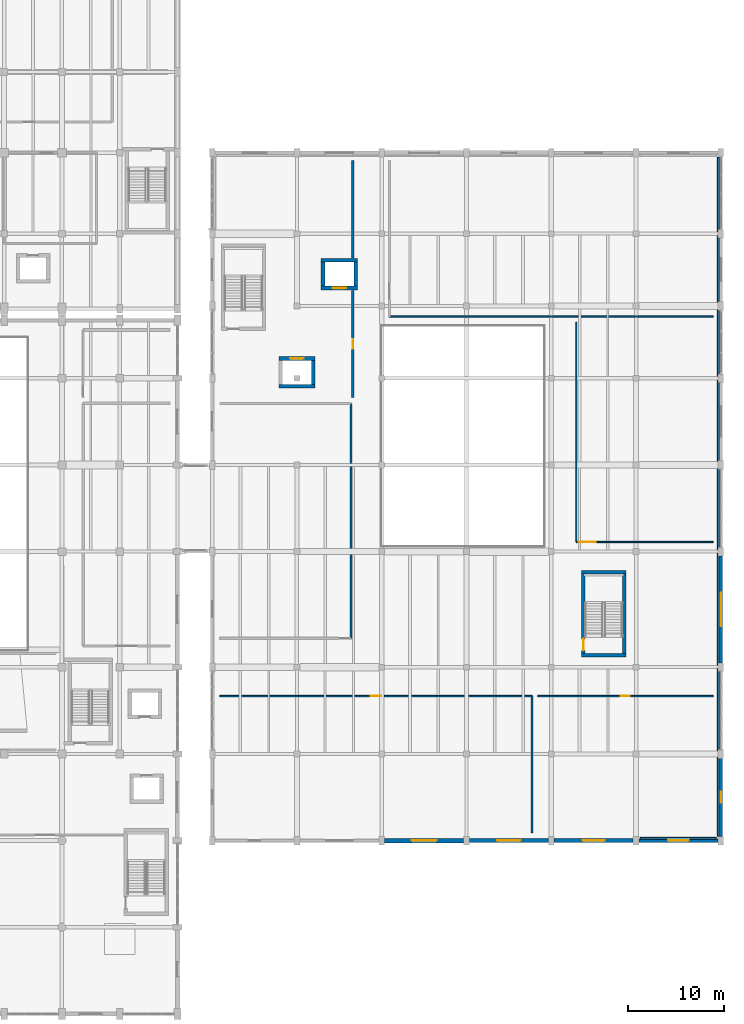
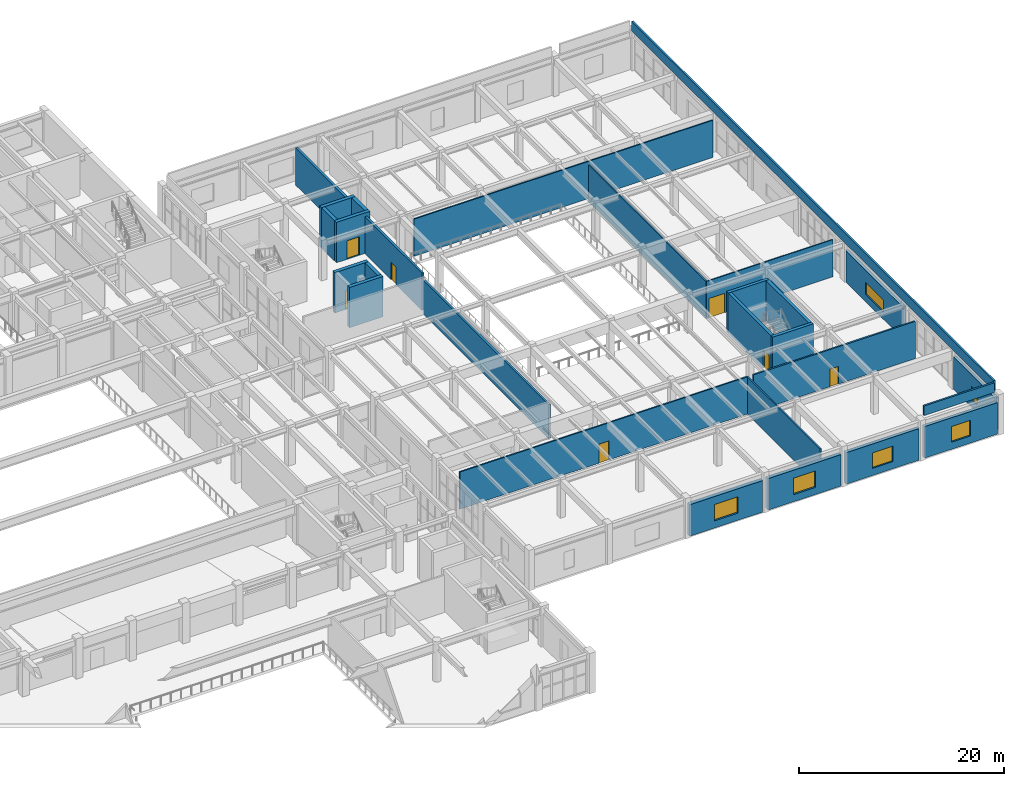
# One storey, part 75 of 96: 28 walls, 7 doors, 6 windows, 13 openings.
"""IFC4 building model written with IfcOpenShell, lengths in metres."""

from ifc_helpers import new_model, si_unit, direction, frame, frame_2d, origin, place, context, subcontext, project, spatial, rectangle, extrude, material, layer, layer_set, type_object, element, fill, save


model = new_model("IFC4")

# Units and contexts
model_context = context("Model", 3, precision=1e-05, world=origin(), true_north=direction((0.0, 1.0)))
body_context = subcontext(model_context, "Body", "Model", "MODEL_VIEW")
ifc_project = project(units=[si_unit("LENGTHUNIT", "METRE"), si_unit("AREAUNIT", "SQUARE_METRE"), si_unit("VOLUMEUNIT", "CUBIC_METRE"), si_unit("PLANEANGLEUNIT", "RADIAN"), si_unit("MASSUNIT", "GRAM", prefix="KILO")], contexts=[model_context])

# Site, building, storey
site_placement = place(None, origin())
site = spatial("IfcSite", under=ifc_project, at=site_placement, CompositionType="ELEMENT")
building_placement = place(site_placement, origin())
building = spatial("IfcBuilding", under=site, at=building_placement, Name="Vaelkrest Opera House", CompositionType="ELEMENT")
storey_placement = place(building_placement, frame((0.0, 0.0, 5.39990234375)))
storey = spatial("IfcBuildingStorey", under=building, at=storey_placement, Name="L01", CompositionType="ELEMENT", Elevation=5.39990234375)

# Wall, opening, window
ifc_material_1 = material(Name="American black walnut acoustic timber", Category="wood")
ifc_layer_1 = layer(ifc_material_1, 0.3349609375)
ifc_layer_set_1 = layer_set([ifc_layer_1], Name="American black walnut acoustic timber")
wall_type_1 = type_object("IfcWallType", Name="EW05", PredefinedType="STANDARD", material=ifc_layer_set_1)
wall_1_placement = place(storey_placement, frame((86.39990234375, -8.248046875, 0.0), z_axis=(0.0, 0.0, 1.0), x_axis=(0.0, -1.0, 0.0)))
wall_1 = element("IfcWall", 1, at=wall_1_placement, inside=storey, type_object=wall_type_1, Name="Exterior facade wall EW-V4-L01-0245", PredefinedType="STANDARD", context=body_context, shape_type="SweptSolid", body=[
    extrude(rectangle(XDim=11.10400390625, YDim=0.3349609375, at=frame_2d((5.552001953125, 0.0))), origin(), (0.0, 0.0, 1.0), 3.7451171875),
])
opening_1_placement = place(wall_1_placement, frame((3.802001953125, 0.0, 0.85009765625)))
opening_1 = element("IfcOpeningElement", 2, at=opening_1_placement, cuts=wall_1, Name="Opening WN130", PredefinedType="OPENING", context=body_context, shape_type="SweptSolid", body=[
    extrude(rectangle(XDim=3.5, YDim=1.449951171875, at=frame_2d((1.75, 0.72509765625))), frame((0.0, 0.177490234375, 0.0), z_axis=(0.0, -1.0, 0.0), x_axis=(1.0, 0.0, 0.0)), (0.0, 0.0, 1.0), 0.35498046875),
])
ifc_material_2 = material(Name="Double low-E insulated glazing", Category="glass")
window_type_1 = type_object("IfcWindowType", Name="WT26", PartitioningType="SINGLE_PANEL", PredefinedType="WINDOW", material=ifc_material_2)
window_1_placement = place(opening_1_placement, origin())
window_1 = element("IfcWindow", 3, at=window_1_placement, inside=storey, type_object=window_type_1, Name="Facade window WN130", OverallHeight=1.449951171875, OverallWidth=3.5, PartitioningType="SINGLE_PANEL", PredefinedType="WINDOW", context=body_context, shape_type="SweptSolid", body=[
    extrude(rectangle(XDim=3.5, YDim=1.449951171875, at=frame_2d((1.75, 0.72509765625))), frame((0.0, 0.030029296875, 0.0), z_axis=(0.0, -1.0, 0.0), x_axis=(1.0, 0.0, 0.0)), (0.0, 0.0, 1.0), 0.06005859375),
])
fill(opening_1, window_1)

ifc_layer_2 = layer(ifc_material_1, 0.360107421875)
ifc_layer_set_2 = layer_set([ifc_layer_2], Name="American black walnut acoustic timber")
wall_type_2 = type_object("IfcWallType", Name="EW06", PredefinedType="STANDARD", material=ifc_layer_set_2)
wall_2_placement = place(storey_placement, frame((86.39990234375, -29.248046875, 0.0), z_axis=(0.0, 0.0, 1.0), x_axis=(0.0, -1.0, 0.0)))
wall_2 = element("IfcWall", 4, at=wall_2_placement, inside=storey, type_object=wall_type_2, Name="Exterior facade wall EW-V4-L01-0246", PredefinedType="STANDARD", context=body_context, shape_type="SweptSolid", body=[
    extrude(rectangle(XDim=8.10400390625, YDim=0.360107421875, at=frame_2d((4.052001953125, 0.0))), origin(), (0.0, 0.0, 1.0), 3.8291015625),
])
opening_2_placement = place(wall_2_placement, frame((3.501953125, 0.0, 0.85009765625)))
opening_2 = element("IfcOpeningElement", 5, at=opening_2_placement, cuts=wall_2, Name="Opening WN131", PredefinedType="OPENING", context=body_context, shape_type="SweptSolid", body=[
    extrude(rectangle(XDim=1.10009765625, YDim=1.60009765625, at=frame_2d((0.550048828125, 0.800048828125))), frame((0.0, 0.18994140625, 0.0), z_axis=(0.0, -1.0, 0.0), x_axis=(1.0, 0.0, 0.0)), (0.0, 0.0, 1.0), 0.380126953125),
])
window_type_2 = type_object("IfcWindowType", Name="WT01", PartitioningType="SINGLE_PANEL", PredefinedType="WINDOW", material=ifc_material_2)
window_2_placement = place(opening_2_placement, origin())
window_2 = element("IfcWindow", 6, at=window_2_placement, inside=storey, type_object=window_type_2, Name="Facade window WN131", OverallHeight=1.60009765625, OverallWidth=1.10009765625, PartitioningType="SINGLE_PANEL", PredefinedType="WINDOW", context=body_context, shape_type="SweptSolid", body=[
    extrude(rectangle(XDim=1.10009765625, YDim=1.60009765625, at=frame_2d((0.550048828125, 0.800048828125))), frame((0.0, 0.030029296875, 0.0), z_axis=(0.0, -1.0, 0.0), x_axis=(1.0, 0.0, 0.0)), (0.0, 0.0, 1.0), 0.06005859375),
])
fill(opening_2, window_2)

ifc_material_3 = material(Name="Concrete C40/50", Category="concrete")
ifc_layer_3 = layer(ifc_material_3, 0.385009765625)
ifc_layer_set_3 = layer_set([ifc_layer_3], Name="Concrete C40/50")
wall_type_3 = type_object("IfcWallType", Name="EW07", PredefinedType="STANDARD", material=ifc_layer_set_3)
wall_3_placement = place(storey_placement, frame((86.10205078125, -37.800048828125, 0.0), z_axis=(0.0, 0.0, 1.0), x_axis=(-1.0, 0.0, 0.0)))
wall_3 = element("IfcWall", 7, at=wall_3_placement, inside=storey, type_object=wall_type_3, Name="Exterior facade wall EW-V4-L01-0227", PredefinedType="STANDARD", context=body_context, shape_type="SweptSolid", body=[
    extrude(rectangle(XDim=8.2041015625, YDim=0.385009765625, at=frame_2d((4.10205078125, 0.0))), origin(), (0.0, 0.0, 1.0), 3.7451171875),
])
opening_3_placement = place(wall_3_placement, frame((3.027099609375, 0.0, 0.85009765625)))
opening_3 = element("IfcOpeningElement", 8, at=opening_3_placement, cuts=wall_3, Name="Opening WN112", PredefinedType="OPENING", context=body_context, shape_type="SweptSolid", body=[
    extrude(rectangle(XDim=2.14990234375, YDim=1.85009765625, at=frame_2d((1.074951171875, 0.925048828125))), frame((0.0, 0.202392578125, 0.0), z_axis=(0.0, -1.0, 0.0), x_axis=(1.0, 0.0, 0.0)), (0.0, 0.0, 1.0), 0.405029296875),
])
window_type_3 = type_object("IfcWindowType", Name="WT08", PartitioningType="SINGLE_PANEL", PredefinedType="WINDOW", material=ifc_material_2)
window_3_placement = place(opening_3_placement, origin())
window_3 = element("IfcWindow", 9, at=window_3_placement, inside=storey, type_object=window_type_3, Name="Facade window WN112", OverallHeight=1.85009765625, OverallWidth=2.14990234375, PartitioningType="SINGLE_PANEL", PredefinedType="WINDOW", context=body_context, shape_type="SweptSolid", body=[
    extrude(rectangle(XDim=2.14990234375, YDim=1.85009765625, at=frame_2d((1.074951171875, 0.925048828125))), frame((0.0, 0.030029296875, 0.0), z_axis=(0.0, -1.0, 0.0), x_axis=(1.0, 0.0, 0.0)), (0.0, 0.0, 1.0), 0.06005859375),
])
fill(opening_3, window_3)

ifc_layer_4 = layer(ifc_material_3, 0.409912109375)
ifc_layer_set_4 = layer_set([ifc_layer_4], Name="Concrete C40/50")
wall_type_4 = type_object("IfcWallType", Name="EW08", PredefinedType="STANDARD", material=ifc_layer_set_4)
wall_4_placement = place(storey_placement, frame((77.302001953125, -37.800048828125, 0.0), z_axis=(0.0, 0.0, 1.0), x_axis=(-1.0, 0.0, 0.0)))
wall_4 = element("IfcWall", 10, at=wall_4_placement, inside=storey, type_object=wall_type_4, Name="Exterior facade wall EW-V4-L01-0228", PredefinedType="STANDARD", context=body_context, shape_type="SweptSolid", body=[
    extrude(rectangle(XDim=8.2041015625, YDim=0.409912109375, at=frame_2d((4.10205078125, 0.0))), origin(), (0.0, 0.0, 1.0), 3.7451171875),
])
opening_4_placement = place(wall_4_placement, frame((2.951904296875, 0.0, 0.85009765625)))
opening_4 = element("IfcOpeningElement", 11, at=opening_4_placement, cuts=wall_4, Name="Opening WN113", PredefinedType="OPENING", context=body_context, shape_type="SweptSolid", body=[
    extrude(rectangle(XDim=2.300048828125, YDim=1.85009765625, at=frame_2d((1.14990234375, 0.925048828125))), frame((0.0, 0.21484375, 0.0), z_axis=(0.0, -1.0, 0.0), x_axis=(1.0, 0.0, 0.0)), (0.0, 0.0, 1.0), 0.429931640625),
])
window_type_4 = type_object("IfcWindowType", Name="WT09", PartitioningType="SINGLE_PANEL", PredefinedType="WINDOW", material=ifc_material_2)
window_4_placement = place(opening_4_placement, origin())
window_4 = element("IfcWindow", 12, at=window_4_placement, inside=storey, type_object=window_type_4, Name="Facade window WN113", OverallHeight=1.85009765625, OverallWidth=2.300048828125, PartitioningType="SINGLE_PANEL", PredefinedType="WINDOW", context=body_context, shape_type="SweptSolid", body=[
    extrude(rectangle(XDim=2.300048828125, YDim=1.85009765625, at=frame_2d((1.14990234375, 0.925048828125))), frame((0.0, 0.030029296875, 0.0), z_axis=(0.0, -1.0, 0.0), x_axis=(1.0, 0.0, 0.0)), (0.0, 0.0, 1.0), 0.06005859375),
])
fill(opening_4, window_4)

ifc_layer_5 = layer(ifc_material_3, 0.43505859375)
ifc_layer_set_5 = layer_set([ifc_layer_5], Name="Concrete C40/50")
wall_type_5 = type_object("IfcWallType", Name="EW09", PredefinedType="STANDARD", material=ifc_layer_set_5)
wall_5_placement = place(storey_placement, frame((68.501953125, -37.800048828125, 0.0), z_axis=(0.0, 0.0, 1.0), x_axis=(-1.0, 0.0, 0.0)))
wall_5 = element("IfcWall", 13, at=wall_5_placement, inside=storey, type_object=wall_type_5, Name="Exterior facade wall EW-V4-L01-0229", PredefinedType="STANDARD", context=body_context, shape_type="SweptSolid", body=[
    extrude(rectangle(XDim=8.203857421875, YDim=0.43505859375, at=frame_2d((4.10205078125, 0.0))), origin(), (0.0, 0.0, 1.0), 3.7451171875),
])
opening_5_placement = place(wall_5_placement, frame((2.876953125, 0.0, 0.85009765625)))
opening_5 = element("IfcOpeningElement", 14, at=opening_5_placement, cuts=wall_5, Name="Opening WN114", PredefinedType="OPENING", context=body_context, shape_type="SweptSolid", body=[
    extrude(rectangle(XDim=2.449951171875, YDim=1.949951171875, at=frame_2d((1.22509765625, 0.97509765625))), frame((0.0, 0.2275390625, 0.0), z_axis=(0.0, -1.0, 0.0), x_axis=(1.0, 0.0, 0.0)), (0.0, 0.0, 1.0), 0.455078125),
])
window_type_5 = type_object("IfcWindowType", Name="WT10", PartitioningType="SINGLE_PANEL", PredefinedType="WINDOW", material=ifc_material_2)
window_5_placement = place(opening_5_placement, origin())
window_5 = element("IfcWindow", 15, at=window_5_placement, inside=storey, type_object=window_type_5, Name="Facade window WN114", OverallHeight=1.949951171875, OverallWidth=2.449951171875, PartitioningType="SINGLE_PANEL", PredefinedType="WINDOW", context=body_context, shape_type="SweptSolid", body=[
    extrude(rectangle(XDim=2.449951171875, YDim=1.949951171875, at=frame_2d((1.22509765625, 0.97509765625))), frame((0.0, 0.030029296875, 0.0), z_axis=(0.0, -1.0, 0.0), x_axis=(1.0, 0.0, 0.0)), (0.0, 0.0, 1.0), 0.06005859375),
])
fill(opening_5, window_5)

ifc_layer_6 = layer(ifc_material_3, 0.465087890625)
ifc_layer_set_6 = layer_set([ifc_layer_6], Name="Concrete C40/50")
wall_type_6 = type_object("IfcWallType", Name="EW10", PredefinedType="STANDARD", material=ifc_layer_set_6)
wall_6_placement = place(storey_placement, frame((59.701904296875, -37.800048828125, 0.0), z_axis=(0.0, 0.0, 1.0), x_axis=(-1.0, 0.0, 0.0)))
wall_6 = element("IfcWall", 16, at=wall_6_placement, inside=storey, type_object=wall_type_6, Name="Exterior facade wall EW-V4-L01-0230", PredefinedType="STANDARD", context=body_context, shape_type="SweptSolid", body=[
    extrude(rectangle(XDim=8.203857421875, YDim=0.465087890625, at=frame_2d((4.10205078125, 0.0))), origin(), (0.0, 0.0, 1.0), 3.7451171875),
])
opening_6_placement = place(wall_6_placement, frame((2.802001953125, 0.0, 0.85009765625)))
opening_6 = element("IfcOpeningElement", 17, at=opening_6_placement, cuts=wall_6, Name="Opening WN115", PredefinedType="OPENING", context=body_context, shape_type="SweptSolid", body=[
    extrude(rectangle(XDim=2.60009765625, YDim=1.949951171875, at=frame_2d((1.300048828125, 0.97509765625))), frame((0.0, 0.242431640625, 0.0), z_axis=(0.0, -1.0, 0.0), x_axis=(1.0, 0.0, 0.0)), (0.0, 0.0, 1.0), 0.485107421875),
])
window_type_6 = type_object("IfcWindowType", Name="WT11", PartitioningType="SINGLE_PANEL", PredefinedType="WINDOW", material=ifc_material_2)
window_6_placement = place(opening_6_placement, origin())
window_6 = element("IfcWindow", 18, at=window_6_placement, inside=storey, type_object=window_type_6, Name="Facade window WN115", OverallHeight=1.949951171875, OverallWidth=2.60009765625, PartitioningType="SINGLE_PANEL", PredefinedType="WINDOW", context=body_context, shape_type="SweptSolid", body=[
    extrude(rectangle(XDim=2.60009765625, YDim=1.949951171875, at=frame_2d((1.300048828125, 0.97509765625))), frame((0.0, 0.030029296875, 0.0), z_axis=(0.0, -1.0, 0.0), x_axis=(1.0, 0.0, 0.0)), (0.0, 0.0, 1.0), 0.06005859375),
])
fill(opening_6, window_6)

# Walls
ifc_layer_7 = layer(ifc_material_3, 0.205078125)
ifc_layer_set_7 = layer_set([ifc_layer_7], Name="Concrete C40/50")
wall_type_7 = type_object("IfcWallType", Name="PP01", PredefinedType="PARAPET", material=ifc_layer_set_7)
wall_7_placement = place(storey_placement, frame((78.050048828125, -37.550048828125, 4.800048828125), z_axis=(0.0, 0.0, 1.0), x_axis=(1.0, 0.0, 0.0)))
element("IfcWall", 19, at=wall_7_placement, inside=storey, type_object=wall_type_7, Name="Roof parapet 09", PredefinedType="PARAPET", context=body_context, shape_type="SweptSolid", body=[
    extrude(rectangle(XDim=7.89990234375, YDim=0.205078125, at=frame_2d((3.949951171875, 0.0))), origin(), (0.0, 0.0, 1.0), 1.150146484375),
])
wall_8_placement = place(storey_placement, frame((86.14990234375, -37.35009765625, 4.800048828125), z_axis=(0.0, 0.0, 1.0), x_axis=(0.0, 1.0, 0.0)))
element("IfcWall", 20, at=wall_8_placement, inside=storey, type_object=wall_type_7, Name="Roof parapet 10", PredefinedType="PARAPET", context=body_context, shape_type="SweptSolid", body=[
    extrude(rectangle(XDim=70.5, YDim=0.205078125, at=frame_2d((35.25, 0.0))), origin(), (0.0, 0.0, 1.0), 1.150146484375),
])

# Wall, opening, door
ifc_material_4 = material(Name="Gypsum acoustic board", Category="gypsum")
ifc_layer_8 = layer(ifc_material_4, 0.1201171875)
ifc_layer_set_8 = layer_set([ifc_layer_8], Name="Gypsum acoustic board")
wall_type_8 = type_object("IfcWallType", Name="PT01", PredefinedType="PARTITIONING", material=ifc_layer_set_8)
wall_9_placement = place(storey_placement, frame((71.39990234375, -6.800048828125, 0.0), z_axis=(0.0, 0.0, 1.0), x_axis=(1.0, 0.0, 0.0)))
wall_9 = element("IfcWall", 21, at=wall_9_placement, inside=storey, type_object=wall_type_8, Name="Interior partition PT-V4-L01-0365", PredefinedType="PARTITIONING", context=body_context, shape_type="SweptSolid", body=[
    extrude(rectangle(XDim=14.2001953125, YDim=0.1201171875, at=frame_2d((7.10009765625, 0.0))), origin(), (0.0, 0.0, 1.0), 4.420166015625),
])
opening_7_placement = place(wall_9_placement, frame((0.25, 0.0, 0.0)))
opening_7 = element("IfcOpeningElement", 22, at=opening_7_placement, cuts=wall_9, Name="Opening D148", PredefinedType="OPENING", context=body_context, shape_type="SweptSolid", body=[
    extrude(rectangle(XDim=1.780029296875, YDim=2.300048828125, at=frame_2d((0.89013671875, 1.14990234375))), frame((0.0, 0.070068359375, 0.0), z_axis=(0.0, -1.0, 0.0), x_axis=(1.0, 0.0, 0.0)), (0.0, 0.0, 1.0), 0.14013671875),
])
door_type_1 = type_object("IfcDoorType", Name="DT20", OperationType="DOUBLE_DOOR_SINGLE_SWING", PredefinedType="DOOR", material=ifc_material_1)
door_1_placement = place(opening_7_placement, origin())
door_1 = element("IfcDoor", 23, at=door_1_placement, inside=storey, type_object=door_type_1, Name="Interior door D148 (Wig Studio)", OperationType="DOUBLE_DOOR_SINGLE_SWING", OverallHeight=2.300048828125, OverallWidth=1.780029296875, PredefinedType="DOOR", context=body_context, shape_type="SweptSolid", body=[
    extrude(rectangle(XDim=1.780029296875, YDim=2.300048828125, at=frame_2d((0.89013671875, 1.14990234375))), frame((0.0, 0.02490234375, 0.0), z_axis=(0.0, -1.0, 0.0), x_axis=(1.0, 0.0, 0.0)), (0.0, 0.0, 1.0), 0.050048828125),
])
fill(opening_7, door_1)

# Wall
ifc_layer_9 = layer(ifc_material_4, 0.135009765625)
ifc_layer_set_9 = layer_set([ifc_layer_9], Name="Gypsum acoustic board")
wall_type_9 = type_object("IfcWallType", Name="PT02", PredefinedType="PARTITIONING", material=ifc_layer_set_9)
wall_10_placement = place(storey_placement, frame((71.39990234375, -6.800048828125, 0.0), z_axis=(0.0, 0.0, 1.0), x_axis=(0.0, 1.0, 0.0)))
element("IfcWall", 24, at=wall_10_placement, inside=storey, type_object=wall_type_9, Name="Interior partition PT-V4-L01-0366", PredefinedType="PARTITIONING", context=body_context, shape_type="SweptSolid", body=[
    extrude(rectangle(XDim=22.800048828125, YDim=0.135009765625, at=frame_2d((11.39990234375, 0.0))), origin(), (0.0, 0.0, 1.0), 4.420166015625),
])

# Wall, opening, door
ifc_layer_10 = layer(ifc_material_4, 0.14990234375)
ifc_layer_set_10 = layer_set([ifc_layer_10], Name="Gypsum acoustic board")
wall_type_10 = type_object("IfcWallType", Name="PT03", PredefinedType="PARTITIONING", material=ifc_layer_set_10)
wall_11_placement = place(storey_placement, frame((34.39990234375, -22.800048828125, 0.0), z_axis=(0.0, 0.0, 1.0), x_axis=(1.0, 0.0, 0.0)))
wall_11 = element("IfcWall", 25, at=wall_11_placement, inside=storey, type_object=wall_type_10, Name="Interior partition PT-V4-L01-0367", PredefinedType="PARTITIONING", context=body_context, shape_type="SweptSolid", body=[
    extrude(rectangle(XDim=32.400146484375, YDim=0.14990234375, at=frame_2d((16.2001953125, 0.0))), origin(), (0.0, 0.0, 1.0), 4.420166015625),
])
opening_8_placement = place(wall_11_placement, frame((15.639892578125, 0.0, 0.0)))
opening_8 = element("IfcOpeningElement", 26, at=opening_8_placement, cuts=wall_11, Name="Opening D149", PredefinedType="OPENING", context=body_context, shape_type="SweptSolid", body=[
    extrude(rectangle(XDim=1.1201171875, YDim=2.25, at=frame_2d((0.56005859375, 1.125))), frame((0.0, 0.0849609375, 0.0), z_axis=(0.0, -1.0, 0.0), x_axis=(1.0, 0.0, 0.0)), (0.0, 0.0, 1.0), 0.169921875),
])
door_type_2 = type_object("IfcDoorType", Name="DT23", OperationType="NOTDEFINED", PredefinedType="DOOR", material=ifc_material_1)
door_2_placement = place(opening_8_placement, origin())
door_2 = element("IfcDoor", 27, at=door_2_placement, inside=storey, type_object=door_type_2, Name="Interior door D149 (Principal Dressing Room)", OperationType="SINGLE_SWING_LEFT", OverallHeight=2.25, OverallWidth=1.1201171875, PredefinedType="DOOR", context=body_context, shape_type="SweptSolid", body=[
    extrude(rectangle(XDim=1.1201171875, YDim=2.25, at=frame_2d((0.56005859375, 1.125))), frame((0.0, 0.02490234375, 0.0), z_axis=(0.0, -1.0, 0.0), x_axis=(1.0, 0.0, 0.0)), (0.0, 0.0, 1.0), 0.050048828125),
])
fill(opening_8, door_2)

# Wall
ifc_layer_11 = layer(ifc_material_4, 0.1650390625)
ifc_layer_set_11 = layer_set([ifc_layer_11], Name="Gypsum acoustic board")
wall_type_11 = type_object("IfcWallType", Name="PT04", PredefinedType="PARTITIONING", material=ifc_layer_set_11)
wall_12_placement = place(storey_placement, frame((66.800048828125, -37.0, 0.0), z_axis=(0.0, 0.0, 1.0), x_axis=(0.0, 1.0, 0.0)))
element("IfcWall", 28, at=wall_12_placement, inside=storey, type_object=wall_type_11, Name="Interior partition PT-V4-L01-0368", PredefinedType="PARTITIONING", context=body_context, shape_type="SweptSolid", body=[
    extrude(rectangle(XDim=14.199951171875, YDim=0.1650390625, at=frame_2d((7.10009765625, 0.0))), origin(), (0.0, 0.0, 1.0), 4.420166015625),
])

# Wall, opening, door
ifc_layer_12 = layer(ifc_material_4, 0.179931640625)
ifc_layer_set_12 = layer_set([ifc_layer_12], Name="Gypsum acoustic board")
wall_type_12 = type_object("IfcWallType", Name="PT05", PredefinedType="PARTITIONING", material=ifc_layer_set_12)
wall_13_placement = place(storey_placement, frame((67.39990234375, -22.800048828125, 0.0), z_axis=(0.0, 0.0, 1.0), x_axis=(1.0, 0.0, 0.0)))
wall_13 = element("IfcWall", 29, at=wall_13_placement, inside=storey, type_object=wall_type_12, Name="Interior partition PT-V4-L01-0369", PredefinedType="PARTITIONING", context=body_context, shape_type="SweptSolid", body=[
    extrude(rectangle(XDim=18.2001953125, YDim=0.179931640625, at=frame_2d((9.10009765625, 0.0))), origin(), (0.0, 0.0, 1.0), 4.420166015625),
])
opening_9_placement = place(wall_13_placement, frame((8.6298828125, 0.0, 0.0)))
opening_9 = element("IfcOpeningElement", 30, at=opening_9_placement, cuts=wall_13, Name="Opening D150", PredefinedType="OPENING", context=body_context, shape_type="SweptSolid", body=[
    extrude(rectangle(XDim=0.93994140625, YDim=2.10009765625, at=frame_2d((0.469970703125, 1.050048828125))), frame((0.0, 0.099853515625, 0.0), z_axis=(0.0, -1.0, 0.0), x_axis=(1.0, 0.0, 0.0)), (0.0, 0.0, 1.0), 0.199951171875),
])
door_type_3 = type_object("IfcDoorType", Name="DT02", OperationType="NOTDEFINED", PredefinedType="DOOR", material=ifc_material_1)
door_3_placement = place(opening_9_placement, origin())
door_3 = element("IfcDoor", 31, at=door_3_placement, inside=storey, type_object=door_type_3, Name="Interior door D150 (Dressing En-Suite Washroom)", OperationType="SINGLE_SWING_RIGHT", OverallHeight=2.10009765625, OverallWidth=0.93994140625, PredefinedType="DOOR", context=body_context, shape_type="SweptSolid", body=[
    extrude(rectangle(XDim=0.93994140625, YDim=2.10009765625, at=frame_2d((0.469970703125, 1.050048828125))), frame((0.0, 0.02490234375, 0.0), z_axis=(0.0, -1.0, 0.0), x_axis=(1.0, 0.0, 0.0)), (0.0, 0.0, 1.0), 0.050048828125),
])
fill(opening_9, door_3)

# Wall
ifc_layer_13 = layer(ifc_material_1, 0.22509765625)
ifc_layer_set_13 = layer_set([ifc_layer_13], Name="American black walnut acoustic timber")
wall_type_13 = type_object("IfcWallType", Name="PT08", PredefinedType="PARTITIONING", material=ifc_layer_set_13)
wall_14_placement = place(storey_placement, frame((48.0, -16.800048828125, 0.0), z_axis=(0.0, 0.0, 1.0), x_axis=(0.0, 1.0, 0.0)))
element("IfcWall", 32, at=wall_14_placement, inside=storey, type_object=wall_type_13, Name="Interior partition PT-V4-L01-0372", PredefinedType="PARTITIONING", context=body_context, shape_type="SweptSolid", body=[
    extrude(rectangle(XDim=24.400146484375, YDim=0.22509765625, at=frame_2d((12.2001953125, 0.0))), origin(), (0.0, 0.0, 1.0), 4.01806640625),
])

# Wall, opening, door
ifc_layer_14 = layer(ifc_material_3, 0.239990234375)
ifc_layer_set_14 = layer_set([ifc_layer_14], Name="Concrete C40/50")
wall_type_14 = type_object("IfcWallType", Name="PT09", PredefinedType="PARTITIONING", material=ifc_layer_set_14)
wall_15_placement = place(storey_placement, frame((48.199951171875, 8.199951171875, 0.0), z_axis=(0.0, 0.0, 1.0), x_axis=(0.0, 1.0, 0.0)))
wall_15 = element("IfcWall", 33, at=wall_15_placement, inside=storey, type_object=wall_type_14, Name="Interior partition PT-V4-L01-0373", PredefinedType="PARTITIONING", context=body_context, shape_type="SweptSolid", body=[
    extrude(rectangle(XDim=11.10009765625, YDim=0.239990234375, at=frame_2d((5.550048828125, 0.0))), origin(), (0.0, 0.0, 1.0), 4.420166015625),
])
opening_10_placement = place(wall_15_placement, frame((5.080078125, 0.0, 0.0)))
opening_10 = element("IfcOpeningElement", 34, at=opening_10_placement, cuts=wall_15, Name="Opening D152", PredefinedType="OPENING", context=body_context, shape_type="SweptSolid", body=[
    extrude(rectangle(XDim=0.93994140625, YDim=2.10009765625, at=frame_2d((0.469970703125, 1.050048828125))), frame((0.0, 0.1298828125, 0.0), z_axis=(0.0, -1.0, 0.0), x_axis=(1.0, 0.0, 0.0)), (0.0, 0.0, 1.0), 0.260009765625),
])
door_4_placement = place(opening_10_placement, origin())
door_4 = element("IfcDoor", 35, at=door_4_placement, inside=storey, type_object=door_type_3, Name="Interior door D152 (Prop Store)", OperationType="SINGLE_SWING_RIGHT", OverallHeight=2.10009765625, OverallWidth=0.93994140625, PredefinedType="DOOR", context=body_context, shape_type="SweptSolid", body=[
    extrude(rectangle(XDim=0.93994140625, YDim=2.10009765625, at=frame_2d((0.469970703125, 1.050048828125))), frame((0.0, 0.02490234375, 0.0), z_axis=(0.0, -1.0, 0.0), x_axis=(1.0, 0.0, 0.0)), (0.0, 0.0, 1.0), 0.050048828125),
])
fill(opening_10, door_4)

# Walls
ifc_layer_15 = layer(ifc_material_3, 0.260009765625)
ifc_layer_set_15 = layer_set([ifc_layer_15], Name="Concrete C40/50")
wall_type_15 = type_object("IfcWallType", Name="PT10", PredefinedType="PARTITIONING", material=ifc_layer_set_15)
wall_16_placement = place(storey_placement, frame((48.199951171875, 22.699951171875, 0.0), z_axis=(0.0, 0.0, 1.0), x_axis=(0.0, 1.0, 0.0)))
element("IfcWall", 36, at=wall_16_placement, inside=storey, type_object=wall_type_15, Name="Interior partition PT-V4-L01-0374", PredefinedType="PARTITIONING", context=body_context, shape_type="SweptSolid", body=[
    extrude(rectangle(XDim=10.10009765625, YDim=0.260009765625, at=frame_2d((5.050048828125, 0.0))), origin(), (0.0, 0.0, 1.0), 4.420166015625),
])
ifc_layer_16 = layer(ifc_material_4, 0.14501953125)
ifc_layer_set_16 = layer_set([ifc_layer_16], Name="Gypsum acoustic board")
wall_type_16 = type_object("IfcWallType", Name="PT13", PredefinedType="PARTITIONING", material=ifc_layer_set_16)
wall_17_placement = place(storey_placement, frame((52.0, 16.60009765625, 0.0), z_axis=(0.0, 0.0, 1.0), x_axis=(1.0, 0.0, 0.0)))
element("IfcWall", 37, at=wall_17_placement, inside=storey, type_object=wall_type_16, Name="Interior partition PT-V4-L01-0363", PredefinedType="PARTITIONING", context=body_context, shape_type="SweptSolid", body=[
    extrude(rectangle(XDim=33.60009765625, YDim=0.14501953125, at=frame_2d((16.800048828125, 0.0))), origin(), (0.0, 0.0, 1.0), 4.420166015625),
])
ifc_material_5 = material(Name="Concrete C50/60", Category="concrete")
ifc_layer_17 = layer(ifc_material_5, 0.35009765625)
ifc_layer_set_17 = layer_set([ifc_layer_17], Name="Concrete C50/60")
wall_type_17 = type_object("IfcWallType", Name="SW01", PredefinedType="SHEAR", material=ifc_layer_set_17)
wall_18_placement = place(storey_placement, frame((76.550048828125, -18.574951171875, 0.0), z_axis=(0.0, 0.0, 1.0), x_axis=(-1.0, 0.0, 0.0)))
element("IfcWall", 38, at=wall_18_placement, inside=storey, type_object=wall_type_17, Name="Stair core ST10 wall L01 S", PredefinedType="SHEAR", context=body_context, shape_type="SweptSolid", body=[
    extrude(rectangle(XDim=4.60009765625, YDim=0.35009765625, at=frame_2d((2.300048828125, 0.0))), origin(), (0.0, 0.0, 1.0), 4.800048828125),
])

# Wall, opening, door
wall_19_placement = place(storey_placement, frame((72.125, -18.39990234375, 0.0), z_axis=(0.0, 0.0, 1.0), x_axis=(0.0, 1.0, 0.0)))
wall_19 = element("IfcWall", 39, at=wall_19_placement, inside=storey, type_object=wall_type_17, Name="Stair core ST10 wall L01 W", PredefinedType="SHEAR", context=body_context, shape_type="SweptSolid", body=[
    extrude(rectangle(XDim=8.2998046875, YDim=0.35009765625, at=frame_2d((4.14990234375, 0.0))), origin(), (0.0, 0.0, 1.0), 4.800048828125),
])
opening_11_placement = place(wall_19_placement, frame((0.35009765625, 0.0, 0.0)))
opening_11 = element("IfcOpeningElement", 40, at=opening_11_placement, cuts=wall_19, Name="Opening SD-ST10-L01", PredefinedType="OPENING", context=body_context, shape_type="SweptSolid", body=[
    extrude(rectangle(XDim=1.179931640625, YDim=2.14990234375, at=frame_2d((0.58984375, 1.074951171875))), frame((0.0, 0.18505859375, 0.0), z_axis=(0.0, -1.0, 0.0), x_axis=(1.0, 0.0, 0.0)), (0.0, 0.0, 1.0), 0.3701171875),
])
door_type_4 = type_object("IfcDoorType", Name="DT07", OperationType="NOTDEFINED", PredefinedType="DOOR", material=ifc_material_1)
door_5_placement = place(opening_11_placement, origin())
door_5 = element("IfcDoor", 41, at=door_5_placement, inside=storey, type_object=door_type_4, Name="Protected stair door SD-ST10-L01", OperationType="SINGLE_SWING_LEFT", OverallHeight=2.14990234375, OverallWidth=1.179931640625, PredefinedType="DOOR", context=body_context, shape_type="SweptSolid", body=[
    extrude(rectangle(XDim=1.179931640625, YDim=2.14990234375, at=frame_2d((0.58984375, 1.074951171875))), frame((0.0, 0.02490234375, 0.0), z_axis=(0.0, -1.0, 0.0), x_axis=(1.0, 0.0, 0.0)), (0.0, 0.0, 1.0), 0.050048828125),
])
fill(opening_11, door_5)

# Walls
wall_20_placement = place(storey_placement, frame((71.949951171875, -9.925048828125, 0.0), z_axis=(0.0, 0.0, 1.0), x_axis=(1.0, 0.0, 0.0)))
element("IfcWall", 42, at=wall_20_placement, inside=storey, type_object=wall_type_17, Name="Stair core ST10 wall L01 N", PredefinedType="SHEAR", context=body_context, shape_type="SweptSolid", body=[
    extrude(rectangle(XDim=4.60009765625, YDim=0.35009765625, at=frame_2d((2.300048828125, 0.0))), origin(), (0.0, 0.0, 1.0), 4.800048828125),
])
wall_21_placement = place(storey_placement, frame((76.375, -10.10009765625, 0.0), z_axis=(0.0, 0.0, 1.0), x_axis=(0.0, -1.0, 0.0)))
element("IfcWall", 43, at=wall_21_placement, inside=storey, type_object=wall_type_17, Name="Stair core ST10 wall L01 E", PredefinedType="SHEAR", context=body_context, shape_type="SweptSolid", body=[
    extrude(rectangle(XDim=8.2998046875, YDim=0.35009765625, at=frame_2d((4.14990234375, 0.0))), origin(), (0.0, 0.0, 1.0), 4.800048828125),
])
ifc_layer_18 = layer(ifc_material_5, 0.389892578125)
ifc_layer_set_18 = layer_set([ifc_layer_18], Name="Concrete C50/60")
wall_type_18 = type_object("IfcWallType", Name="SW02", PredefinedType="SHEAR", material=ifc_layer_set_18)
wall_22_placement = place(storey_placement, frame((44.2900390625, 9.35498046875, 0.0), z_axis=(0.0, 0.0, 1.0), x_axis=(-1.0, 0.0, 0.0)))
element("IfcWall", 44, at=wall_22_placement, inside=storey, type_object=wall_type_18, Name="Lift shaft LP06 wall L01 S", PredefinedType="SHEAR", context=body_context, shape_type="SweptSolid", body=[
    extrude(rectangle(XDim=3.780029296875, YDim=0.389892578125, at=frame_2d((1.89013671875, 0.0))), origin(), (0.0, 0.0, 1.0), 4.800048828125),
])

# Wall, opening, door
wall_23_placement = place(storey_placement, frame((40.510009765625, 12.2451171875, 0.0), z_axis=(0.0, 0.0, 1.0), x_axis=(1.0, 0.0, 0.0)))
wall_23 = element("IfcWall", 45, at=wall_23_placement, inside=storey, type_object=wall_type_18, Name="Lift shaft LP06 wall L01 N", PredefinedType="SHEAR", context=body_context, shape_type="SweptSolid", body=[
    extrude(rectangle(XDim=3.780029296875, YDim=0.389892578125, at=frame_2d((1.89013671875, 0.0))), origin(), (0.0, 0.0, 1.0), 4.800048828125),
])
opening_12_placement = place(wall_23_placement, frame((1.18994140625, 0.0, 0.0)))
opening_12 = element("IfcOpeningElement", 46, at=opening_12_placement, cuts=wall_23, Name="Opening LD-LP06-L01", PredefinedType="OPENING", context=body_context, shape_type="SweptSolid", body=[
    extrude(rectangle(XDim=1.39990234375, YDim=2.199951171875, at=frame_2d((0.699951171875, 1.10009765625))), frame((0.0, 0.204833984375, 0.0), z_axis=(0.0, -1.0, 0.0), x_axis=(1.0, 0.0, 0.0)), (0.0, 0.0, 1.0), 0.409912109375),
])
ifc_material_6 = material(Name="Dark bronze anodized aluminium", Category="aluminium")
door_type_5 = type_object("IfcDoorType", Name="LDT02", OperationType="SLIDING_TO_LEFT", PredefinedType="DOOR", material=ifc_material_6)
door_6_placement = place(opening_12_placement, origin())
door_6 = element("IfcDoor", 47, at=door_6_placement, inside=storey, type_object=door_type_5, Name="Lift landing sliding door LD-LP06-L01", OperationType="SLIDING_TO_LEFT", OverallHeight=2.199951171875, OverallWidth=1.39990234375, PredefinedType="DOOR", context=body_context, shape_type="SweptSolid", body=[
    extrude(rectangle(XDim=1.39990234375, YDim=2.199951171875, at=frame_2d((0.699951171875, 1.10009765625))), frame((0.0, 0.02490234375, 0.0), z_axis=(0.0, -1.0, 0.0), x_axis=(1.0, 0.0, 0.0)), (0.0, 0.0, 1.0), 0.050048828125),
])
fill(opening_12, door_6)

# Wall
wall_24_placement = place(storey_placement, frame((44.094970703125, 12.050048828125, 0.0), z_axis=(0.0, 0.0, 1.0), x_axis=(0.0, -1.0, 0.0)))
element("IfcWall", 48, at=wall_24_placement, inside=storey, type_object=wall_type_18, Name="Lift shaft LP06 wall L01 E", PredefinedType="SHEAR", context=body_context, shape_type="SweptSolid", body=[
    extrude(rectangle(XDim=2.5, YDim=0.389892578125, at=frame_2d((1.25, 0.0))), origin(), (0.0, 0.0, 1.0), 4.800048828125),
])

# Wall, opening, door
wall_25_placement = place(storey_placement, frame((48.68994140625, 19.554931640625, 0.0), z_axis=(0.0, 0.0, 1.0), x_axis=(-1.0, 0.0, 0.0)))
wall_25 = element("IfcWall", 49, at=wall_25_placement, inside=storey, type_object=wall_type_18, Name="Lift shaft LS01 wall L01 S", PredefinedType="SHEAR", context=body_context, shape_type="SweptSolid", body=[
    extrude(rectangle(XDim=3.780029296875, YDim=0.389892578125, at=frame_2d((1.89013671875, 0.0))), origin(), (0.0, 0.0, 1.0), 4.800048828125),
])
opening_13_placement = place(wall_25_placement, frame((1.18994140625, 0.0, 0.0)))
opening_13 = element("IfcOpeningElement", 50, at=opening_13_placement, cuts=wall_25, Name="Opening LD-LS01-L01", PredefinedType="OPENING", context=body_context, shape_type="SweptSolid", body=[
    extrude(rectangle(XDim=1.39990234375, YDim=2.199951171875, at=frame_2d((0.699951171875, 1.10009765625))), frame((0.0, 0.204833984375, 0.0), z_axis=(0.0, -1.0, 0.0), x_axis=(1.0, 0.0, 0.0)), (0.0, 0.0, 1.0), 0.409912109375),
])
door_7_placement = place(opening_13_placement, origin())
door_7 = element("IfcDoor", 51, at=door_7_placement, inside=storey, type_object=door_type_5, Name="Lift landing sliding door LD-LS01-L01", OperationType="SLIDING_TO_LEFT", OverallHeight=2.199951171875, OverallWidth=1.39990234375, PredefinedType="DOOR", context=body_context, shape_type="SweptSolid", body=[
    extrude(rectangle(XDim=1.39990234375, YDim=2.199951171875, at=frame_2d((0.699951171875, 1.10009765625))), frame((0.0, 0.02490234375, 0.0), z_axis=(0.0, -1.0, 0.0), x_axis=(1.0, 0.0, 0.0)), (0.0, 0.0, 1.0), 0.050048828125),
])
fill(opening_13, door_7)

# Walls
wall_26_placement = place(storey_placement, frame((44.909912109375, 22.445068359375, 0.0), z_axis=(0.0, 0.0, 1.0), x_axis=(1.0, 0.0, 0.0)))
element("IfcWall", 52, at=wall_26_placement, inside=storey, type_object=wall_type_18, Name="Lift shaft LS01 wall L01 N", PredefinedType="SHEAR", context=body_context, shape_type="SweptSolid", body=[
    extrude(rectangle(XDim=3.780029296875, YDim=0.389892578125, at=frame_2d((1.89013671875, 0.0))), origin(), (0.0, 0.0, 1.0), 4.800048828125),
])
for number, where, z_axis, x_axis, name in (
    (53, (45.10498046875, 19.75, 0.0), (0.0, 0.0, 1.0), (0.0, 1.0, 0.0), "Lift shaft LS01 wall L01 W"),
    (54, (48.4951171875, 22.25, 0.0), (0.0, 0.0, 1.0), (0.0, -1.0, 0.0), "Lift shaft LS01 wall L01 E"),
):
    element("IfcWall", number, at=place(storey_placement, frame(where, z_axis=z_axis, x_axis=x_axis)), inside=storey, type_object=wall_type_18, Name=name, PredefinedType="SHEAR", context=body_context, shape_type="SweptSolid", body=[
        extrude(rectangle(XDim=2.5, YDim=0.389892578125, at=frame_2d((1.25, 0.0))), origin(), (0.0, 0.0, 1.0), 4.800048828125),
    ])

save(model, "model.ifc")
